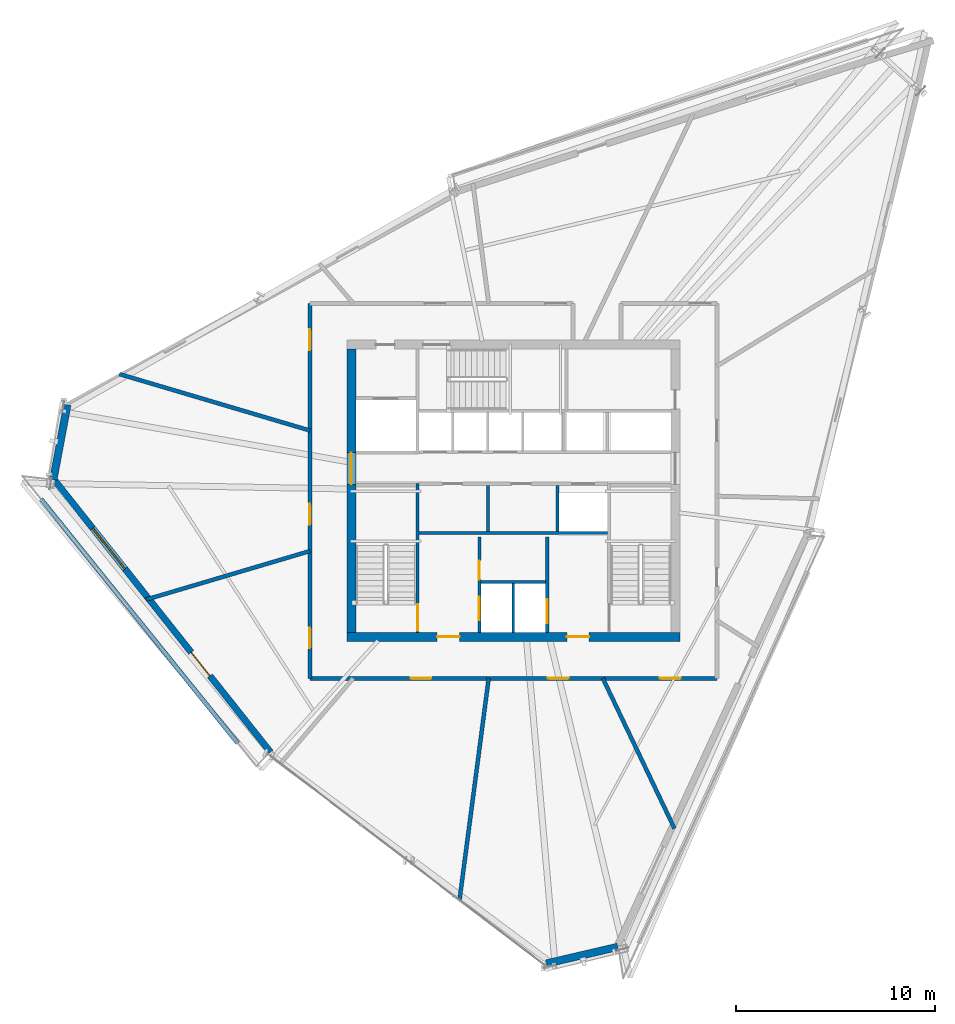
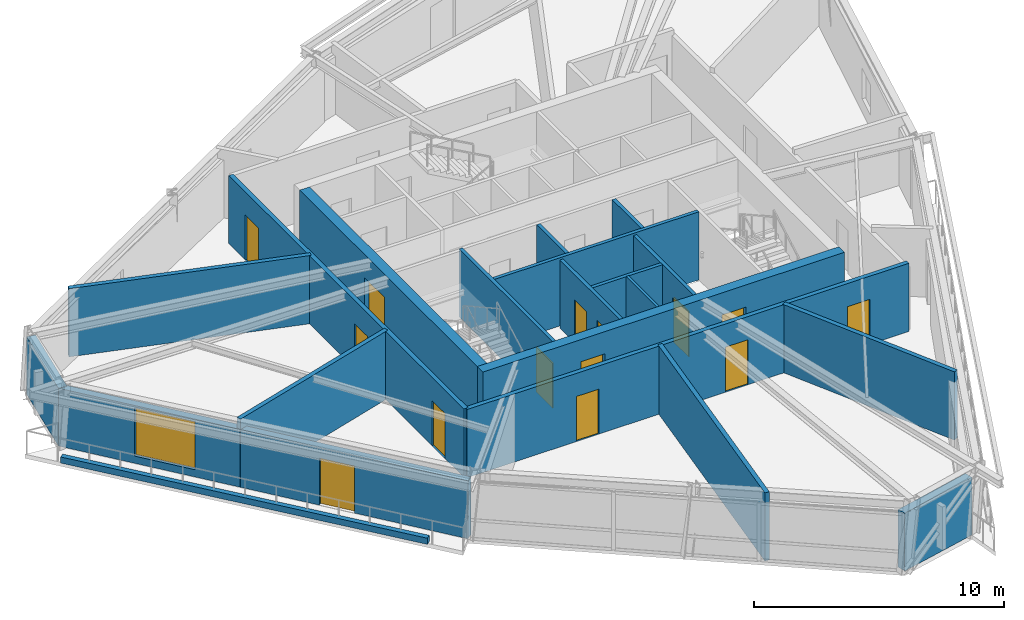
# One storey, part 8 of 13: 20 walls, 14 doors, 1 window, 15 openings.
"""IFC4 building model written with IfcOpenShell, lengths in metres."""

from ifc_helpers import new_model, si_unit, direction, frame, frame_2d, origin, place, context, subcontext, project, spatial, rectangle, extrude, source, transform, mapped, material, layer, layer_set, type_object, type_shapes, element, fill, save


model = new_model("IFC4")

# Units and contexts
model_context = context("Model", 3, precision=1e-05, world=origin(), true_north=direction((0.0, 1.0)))
body_context = subcontext(model_context, "Body", "Model", "MODEL_VIEW")
ifc_project = project(units=[si_unit("LENGTHUNIT", "METRE"), si_unit("AREAUNIT", "SQUARE_METRE"), si_unit("VOLUMEUNIT", "CUBIC_METRE"), si_unit("PLANEANGLEUNIT", "RADIAN"), si_unit("MASSUNIT", "GRAM", prefix="KILO")], contexts=[model_context])

# Site, building, storey
site_placement = place(None, origin())
site = spatial("IfcSite", under=ifc_project, at=site_placement, CompositionType="ELEMENT")
building_placement = place(site_placement, origin())
building = spatial("IfcBuilding", under=site, at=building_placement, Name="Olszyna Solenne Hotel", CompositionType="ELEMENT")
storey_placement = place(building_placement, frame((0.0, 0.0, 227.35009765625)))
storey = spatial("IfcBuildingStorey", under=building, at=storey_placement, Name="L60", CompositionType="ELEMENT", Elevation=227.35009765625)

# Wall, openings, doors
ifc_material_1 = material(Name="Concrete C50/60", Category="concrete")
ifc_layer_1 = layer(ifc_material_1, 0.449951171875, Name="Concrete C50/60")
ifc_layer_set_1 = layer_set([ifc_layer_1], Name="Concrete C50/60")
wall_type_1 = type_object("IfcWallType", Name="WL-CR450", PredefinedType="SHEAR", material=ifc_layer_set_1)
wall_1_placement = place(storey_placement, frame((46.35009765625, 19.27490234375, 0.0), z_axis=(0.0, 0.0, 1.0), x_axis=(-1.0, 0.0, 0.0)))
wall_1 = element("IfcWall", 1, at=wall_1_placement, inside=storey, type_object=wall_type_1, Name="Core shear wall WL-CR450 CRW-L60-S", PredefinedType="SHEAR", context=body_context, shape_type="SweptSolid", body=[
    extrude(rectangle(XDim=16.7001953125, YDim=0.449951171875, at=frame_2d((8.35009765625, 0.0))), origin(), (0.0, 0.0, 1.0), 3.329833984375),
])
opening_1_placement = place(wall_1_placement, frame((4.550048828125, 0.0, 0.0)))
opening_1 = element("IfcOpeningElement", 2, at=opening_1_placement, cuts=wall_1, Name="Opening FL-L60-1", PredefinedType="OPENING", context=body_context, shape_type="SweptSolid", body=[
    extrude(rectangle(XDim=1.1201171875, YDim=2.25, at=frame_2d((0.56005859375, 1.125))), frame((0.0, 0.23486328125, 0.0), z_axis=(0.0, -1.0, 0.0), x_axis=(1.0, 0.0, 0.0)), (0.0, 0.0, 1.0), 0.469970703125),
])
opening_2_placement = place(wall_1_placement, frame((11.050048828125, 0.0, 0.0)))
opening_2 = element("IfcOpeningElement", 3, at=opening_2_placement, cuts=wall_1, Name="Opening FL-L60-2", PredefinedType="OPENING", context=body_context, shape_type="SweptSolid", body=[
    extrude(rectangle(XDim=1.1201171875, YDim=2.25, at=frame_2d((0.56005859375, 1.125))), frame((0.0, 0.23486328125, 0.0), z_axis=(0.0, -1.0, 0.0), x_axis=(1.0, 0.0, 0.0)), (0.0, 0.0, 1.0), 0.469970703125),
])
ifc_material_2 = material(Name="Steel S355J2", Category="steel")
door_type_1 = type_object("IfcDoorType", Name="DR-FL1", OperationType="NOTDEFINED", PredefinedType="DOOR", material=ifc_material_2)
shared_shape_1 = source(origin(), body_context, "Body", "SweptSolid", [
    extrude(rectangle(XDim=1.1201171875, YDim=2.25, at=frame_2d((0.56005859375, 1.125))), frame((0.0, 0.02490234375, 0.0), z_axis=(0.0, -1.0, 0.0), x_axis=(1.0, 0.0, 0.0)), (0.0, 0.0, 1.0), 0.050048828125),
])
type_shapes(door_type_1, [shared_shape_1])
door_1_placement = place(opening_1_placement, origin())
door_1 = element("IfcDoor", 4, at=door_1_placement, inside=storey, type_object=door_type_1, Name="Firefighting lift lobby smoke door FL-L60-1", OperationType="SINGLE_SWING_LEFT", OverallHeight=2.25, OverallWidth=1.1201171875, PredefinedType="DOOR", context=body_context, shape_type="MappedRepresentation", body=[
    mapped(shared_shape_1, transform((0.0, 0.0, 0.0), x_axis=(1.0, 0.0, 0.0), y_axis=(0.0, 1.0, 0.0), z_axis=(0.0, 0.0, 1.0), scale=1.0)),
])
fill(opening_1, door_1)
door_2_placement = place(opening_2_placement, origin())
door_2 = element("IfcDoor", 5, at=door_2_placement, inside=storey, type_object=door_type_1, Name="Firefighting lift lobby smoke door FL-L60-2", OperationType="SINGLE_SWING_RIGHT", OverallHeight=2.25, OverallWidth=1.1201171875, PredefinedType="DOOR", context=body_context, shape_type="MappedRepresentation", body=[
    mapped(shared_shape_1, transform((0.0, 0.0, 0.0), x_axis=(1.0, 0.0, 0.0), y_axis=(0.0, 1.0, 0.0), z_axis=(0.0, 0.0, 1.0), scale=1.0)),
])
fill(opening_2, door_2)

# Wall, opening, door
wall_2_placement = place(storey_placement, frame((29.875, 19.5, 0.0), z_axis=(0.0, 0.0, 1.0), x_axis=(0.0, 1.0, 0.0)))
wall_2 = element("IfcWall", 6, at=wall_2_placement, inside=storey, type_object=wall_type_1, Name="Core shear wall WL-CR450 CRW-L60-W", PredefinedType="SHEAR", context=body_context, shape_type="SweptSolid", body=[
    extrude(rectangle(XDim=14.199951171875, YDim=0.449951171875, at=frame_2d((7.10009765625, 0.0))), origin(), (0.0, 0.0, 1.0), 3.329833984375),
])
opening_3_placement = place(wall_2_placement, frame((7.419921875, 0.0, 0.0)))
opening_3 = element("IfcOpeningElement", 7, at=opening_3_placement, cuts=wall_2, Name="Opening LHD-L60-W", PredefinedType="OPENING", context=body_context, shape_type="SweptSolid", body=[
    extrude(rectangle(XDim=1.60009765625, YDim=2.199951171875, at=frame_2d((0.800048828125, 1.10009765625))), frame((0.0, 0.23486328125, 0.0), z_axis=(0.0, -1.0, 0.0), x_axis=(1.0, 0.0, 0.0)), (0.0, 0.0, 1.0), 0.469970703125),
])
ifc_material_3 = material(Name="Timber hardwood", Category="wood")
door_type_2 = type_object("IfcDoorType", Name="DR-CR1", OperationType="DOUBLE_DOOR_SINGLE_SWING", PredefinedType="DOOR", material=ifc_material_3)
shared_shape_2 = source(origin(), body_context, "Body", "SweptSolid", [
    extrude(rectangle(XDim=1.60009765625, YDim=2.199951171875, at=frame_2d((0.800048828125, 1.10009765625))), frame((0.0, 0.02490234375, 0.0), z_axis=(0.0, -1.0, 0.0), x_axis=(1.0, 0.0, 0.0)), (0.0, 0.0, 1.0), 0.050048828125),
])
type_shapes(door_type_2, [shared_shape_2])
door_3_placement = place(opening_3_placement, origin())
door_3 = element("IfcDoor", 8, at=door_3_placement, inside=storey, type_object=door_type_2, Name="Passenger lift lobby West fire door LHD-L60-W", OperationType="DOUBLE_DOOR_SINGLE_SWING", OverallHeight=2.199951171875, OverallWidth=1.60009765625, PredefinedType="DOOR", context=body_context, shape_type="MappedRepresentation", body=[
    mapped(shared_shape_2, transform((0.0, 0.0, 0.0), x_axis=(1.0, 0.0, 0.0), y_axis=(0.0, 1.0, 0.0), z_axis=(0.0, 0.0, 1.0), scale=1.0)),
])
fill(opening_3, door_3)

# Wall, openings, door, window
ifc_material_4 = material(Name="Precast concrete C45/55", Category="concrete")
ifc_layer_2 = layer(ifc_material_4, 0.320068359375, Name="Precast concrete C45/55")
ifc_layer_set_2 = layer_set([ifc_layer_2], Name="Precast concrete C45/55")
wall_type_2 = type_object("IfcWallType", Name="WL-EX320", PredefinedType="SOLIDWALL", material=ifc_layer_set_2)
wall_3_placement = place(storey_placement, frame((25.82177734375, 13.49658203125, 0.0), z_axis=(0.0, 0.0, 1.0), x_axis=(-0.621793124768, 0.783181530675, 0.0)))
wall_3 = element("IfcWall", 9, at=wall_3_placement, inside=storey, type_object=wall_type_2, Name="Exterior terracotta-precast frame wall WL-EX320 EW-L60-04", PredefinedType="SOLIDWALL", context=body_context, shape_type="SweptSolid", body=[
    extrude(rectangle(XDim=17.611572265625, YDim=0.320068359375, at=frame_2d((8.8056640625, 0.0))), origin(), (0.0, 0.0, 1.0), 2.822021484375),
])
opening_4_placement = place(wall_3_placement, frame((4.885986328125, 0.0, 0.0)))
opening_4 = element("IfcOpeningElement", 10, at=opening_4_placement, cuts=wall_3, Name="Opening LDG-L60-2", PredefinedType="OPENING", context=body_context, shape_type="SweptSolid", body=[
    extrude(rectangle(XDim=1.5, YDim=2.300048828125, at=frame_2d((0.75, 1.14990234375))), frame((0.0, 0.169921875, 0.0), z_axis=(0.0, -1.0, 0.0), x_axis=(1.0, 0.0, 0.0)), (0.0, 0.0, 1.0), 0.340087890625),
])
opening_5_placement = place(wall_3_placement, frame((11.73291015625, 0.0, 0.35205078125)))
opening_5 = element("IfcOpeningElement", 11, at=opening_5_placement, cuts=wall_3, Name="Opening WN-L60-389", PredefinedType="OPENING", context=body_context, shape_type="SweptSolid", body=[
    extrude(rectangle(XDim=2.60009765625, YDim=2.35009765625, at=frame_2d((1.300048828125, 1.175048828125))), frame((0.0, 0.169921875, 0.0), z_axis=(0.0, -1.0, 0.0), x_axis=(1.0, 0.0, 0.0)), (0.0, 0.0, 1.0), 0.340087890625),
])
ifc_material_5 = material(Name="Anodised bronze aluminium", Category="aluminium")
door_type_3 = type_object("IfcDoorType", Name="DR-LG2", OperationType="DOUBLE_DOOR_SINGLE_SWING", PredefinedType="DOOR", material=ifc_material_5)
shared_shape_3 = source(origin(), body_context, "Body", "SweptSolid", [
    extrude(rectangle(XDim=1.5, YDim=2.300048828125, at=frame_2d((0.75, 1.14990234375))), frame((0.0, 0.02490234375, 0.0), z_axis=(0.0, -1.0, 0.0), x_axis=(1.0, 0.0, 0.0)), (0.0, 0.0, 1.0), 0.050048828125),
])
type_shapes(door_type_3, [shared_shape_3])
door_4_placement = place(opening_4_placement, origin())
door_4 = element("IfcDoor", 12, at=door_4_placement, inside=storey, type_object=door_type_3, Name="Exterior loggia balcony door DR-LG2 LDG-L60-2", OperationType="DOUBLE_DOOR_SINGLE_SWING", OverallHeight=2.300048828125, OverallWidth=1.5, PredefinedType="DOOR", context=body_context, shape_type="MappedRepresentation", body=[
    mapped(shared_shape_3, transform((0.0, 0.0, 0.0), x_axis=(1.0, 0.0, 0.0), y_axis=(0.0, 1.0, 0.0), z_axis=(0.0, 0.0, 1.0), scale=1.0)),
])
fill(opening_4, door_4)
ifc_material_6 = material(Name="Low-E triple glazing", Category="glass")
window_type = type_object("IfcWindowType", Name="WN-ST1", PartitioningType="SINGLE_PANEL", PredefinedType="WINDOW", material=ifc_material_6)
shared_shape_4 = source(origin(), body_context, "Body", "SweptSolid", [
    extrude(rectangle(XDim=2.60009765625, YDim=2.35009765625, at=frame_2d((1.300048828125, 1.175048828125))), frame((0.0, 0.030029296875, 0.0), z_axis=(0.0, -1.0, 0.0), x_axis=(1.0, 0.0, 0.0)), (0.0, 0.0, 1.0), 0.06005859375),
])
type_shapes(window_type, [shared_shape_4])
window_placement = place(opening_5_placement, origin())
window = element("IfcWindow", 13, at=window_placement, inside=storey, type_object=window_type, Name="Loggia room window WN-ST1 WN-L60-389", OverallHeight=2.35009765625, OverallWidth=2.60009765625, PartitioningType="SINGLE_PANEL", PredefinedType="WINDOW", context=body_context, shape_type="MappedRepresentation", body=[
    mapped(shared_shape_4, transform((0.0, 0.0, 0.0), x_axis=(1.0, 0.0, 0.0), y_axis=(0.0, 1.0, 0.0), z_axis=(0.0, 0.0, 1.0), scale=1.0)),
])
fill(opening_5, window)

# Walls
ifc_material_7 = material(Name="Terracotta cladding on precast concrete C45/55", Category="masonry")
ifc_layer_3 = layer(ifc_material_7, 0.3798828125, Name="Terracotta cladding on precast concrete C45/55")
ifc_layer_set_3 = layer_set([ifc_layer_3], Name="Terracotta cladding on precast concrete C45/55")
wall_type_3 = type_object("IfcWallType", Name="WL-EX380", PredefinedType="SOLIDWALL", material=ifc_layer_set_3)
wall_4_placement = place(storey_placement, frame((43.236328125, 3.732421875, 0.0), z_axis=(0.0, 0.0, 1.0), x_axis=(-0.973962023235, -0.22671122005, 0.0)))
element("IfcWall", 14, at=wall_4_placement, inside=storey, type_object=wall_type_3, Name="Exterior terracotta-precast frame wall WL-EX380 EW-L60-02", PredefinedType="SOLIDWALL", context=body_context, shape_type="SweptSolid", body=[
    extrude(rectangle(XDim=3.677490234375, YDim=0.3798828125, at=frame_2d((1.8388671875, 0.0))), origin(), (0.0, 0.0, 1.0), 2.822021484375),
])
wall_5_placement = place(storey_placement, frame((14.9326171875, 27.155029296875, 0.0), z_axis=(0.0, 0.0, 1.0), x_axis=(0.183852218536, 0.98295389604, 0.0)))
element("IfcWall", 15, at=wall_5_placement, inside=storey, type_object=wall_type_3, Name="Exterior terracotta-precast frame wall WL-EX380 EW-L60-05", PredefinedType="SOLIDWALL", context=body_context, shape_type="SweptSolid", body=[
    extrude(rectangle(XDim=3.81787109375, YDim=0.3798828125, at=frame_2d((1.908935546875, 0.0))), origin(), (0.0, 0.0, 1.0), 2.822021484375),
])
ifc_layer_4 = layer(ifc_material_4, 0.219970703125, Name="Precast concrete C45/55")
ifc_layer_set_4 = layer_set([ifc_layer_4], Name="Precast concrete C45/55")
wall_type_4 = type_object("IfcWallType", Name="WL-PR220", PredefinedType="PARAPET", material=ifc_layer_set_4)
wall_6_placement = place(storey_placement, frame((14.3154296875, 26.183349609375, 0.0), z_axis=(0.0, 0.0, 1.0), x_axis=(0.627542704466, -0.778582143432, 0.0)))
element("IfcWall", 16, at=wall_6_placement, inside=storey, type_object=wall_type_4, Name="Loggia balcony precast kerb PR-L60-LG2", PredefinedType="PARAPET", context=body_context, shape_type="SweptSolid", body=[
    extrude(rectangle(XDim=15.72265625, YDim=0.219970703125, at=frame_2d((7.861328125, 0.0))), origin(), (0.0, 0.0, 1.0), 0.2998046875),
])
ifc_material_8 = material(Name="Acoustic gypsum partition", Category="gypsum")
ifc_layer_5 = layer(ifc_material_8, 0.125, Name="Acoustic gypsum partition")
ifc_layer_set_5 = layer_set([ifc_layer_5], Name="Acoustic gypsum partition")
wall_type_5 = type_object("IfcWallType", Name="WL-PT125", PredefinedType="PARTITIONING", material=ifc_layer_set_5)
wall_7_placement = place(storey_placement, frame((38.0, 19.5, 0.0), z_axis=(0.0, 0.0, 1.0), x_axis=(0.0, 1.0, 0.0)))
element("IfcWall", 17, at=wall_7_placement, inside=storey, type_object=wall_type_5, Name="Core shaft compartment wall CW-L60-FFM", PredefinedType="PARTITIONING", context=body_context, shape_type="SweptSolid", body=[
    extrude(rectangle(XDim=2.4599609375, YDim=0.125, at=frame_2d((1.22998046875, 0.0))), origin(), (0.0, 0.0, 1.0), 3.329833984375),
])

# Wall, opening, door
ifc_layer_6 = layer(ifc_material_8, 0.159912109375, Name="Acoustic gypsum partition")
ifc_layer_set_6 = layer_set([ifc_layer_6], Name="Acoustic gypsum partition")
wall_type_6 = type_object("IfcWallType", Name="WL-PT160", PredefinedType="PARTITIONING", material=ifc_layer_set_6)
wall_8_placement = place(storey_placement, frame((33.199951171875, 19.5, 0.0), z_axis=(0.0, 0.0, 1.0), x_axis=(0.0, 1.0, 0.0)))
wall_8 = element("IfcWall", 18, at=wall_8_placement, inside=storey, type_object=wall_type_6, Name="Core shaft compartment wall CW-L60-ST1E", PredefinedType="PARTITIONING", context=body_context, shape_type="SweptSolid", body=[
    extrude(rectangle(XDim=7.4599609375, YDim=0.159912109375, at=frame_2d((3.72998046875, 0.0))), origin(), (0.0, 0.0, 1.0), 3.329833984375),
])
opening_6_placement = place(wall_8_placement, frame((0.080078125, 0.0, 0.0)))
opening_6 = element("IfcOpeningElement", 19, at=opening_6_placement, cuts=wall_8, Name="Opening STD-L60-01", PredefinedType="OPENING", context=body_context, shape_type="SweptSolid", body=[
    extrude(rectangle(XDim=1.320068359375, YDim=2.199951171875, at=frame_2d((0.66015625, 1.10009765625))), frame((0.0, 0.08984375, 0.0), z_axis=(0.0, -1.0, 0.0), x_axis=(1.0, 0.0, 0.0)), (0.0, 0.0, 1.0), 0.179931640625),
])
door_type_4 = type_object("IfcDoorType", Name="DR-ST1", OperationType="NOTDEFINED", PredefinedType="DOOR", material=ifc_material_2)
shared_shape_5 = source(origin(), body_context, "Body", "SweptSolid", [
    extrude(rectangle(XDim=1.320068359375, YDim=2.199951171875, at=frame_2d((0.66015625, 1.10009765625))), frame((0.0, 0.02490234375, 0.0), z_axis=(0.0, -1.0, 0.0), x_axis=(1.0, 0.0, 0.0)), (0.0, 0.0, 1.0), 0.050048828125),
])
type_shapes(door_type_4, [shared_shape_5])
door_5_placement = place(opening_6_placement, origin())
door_5 = element("IfcDoor", 20, at=door_5_placement, inside=storey, type_object=door_type_4, Name="Pressurised exit stair ST1 fire door STD-L60-01", OperationType="SINGLE_SWING_LEFT", OverallHeight=2.199951171875, OverallWidth=1.320068359375, PredefinedType="DOOR", context=body_context, shape_type="MappedRepresentation", body=[
    mapped(shared_shape_5, transform((0.0, 0.0, 0.0), x_axis=(1.0, 0.0, 0.0), y_axis=(0.0, 1.0, 0.0), z_axis=(0.0, 0.0, 1.0), scale=1.0)),
])
fill(opening_6, door_5)

# Wall, openings, doors
wall_9_placement = place(storey_placement, frame((36.300048828125, 19.5, 0.0), z_axis=(0.0, 0.0, 1.0), x_axis=(0.0, 1.0, 0.0)))
wall_9 = element("IfcWall", 21, at=wall_9_placement, inside=storey, type_object=wall_type_6, Name="Core shaft compartment wall CW-L60-FF1W", PredefinedType="PARTITIONING", context=body_context, shape_type="SweptSolid", body=[
    extrude(rectangle(XDim=4.780029296875, YDim=0.159912109375, at=frame_2d((2.39013671875, 0.0))), origin(), (0.0, 0.0, 1.0), 3.329833984375),
])
opening_7_placement = place(wall_9_placement, frame((0.60009765625, 0.0, 0.0)))
opening_7 = element("IfcOpeningElement", 22, at=opening_7_placement, cuts=wall_9, Name="Opening LD-L60-FF1", PredefinedType="OPENING", context=body_context, shape_type="SweptSolid", body=[
    extrude(rectangle(XDim=1.199951171875, YDim=2.199951171875, at=frame_2d((0.60009765625, 1.10009765625))), frame((0.0, 0.08984375, 0.0), z_axis=(0.0, -1.0, 0.0), x_axis=(1.0, 0.0, 0.0)), (0.0, 0.0, 1.0), 0.179931640625),
])
opening_8_placement = place(wall_9_placement, frame((2.64990234375, 0.0, 0.0)))
opening_8 = element("IfcOpeningElement", 23, at=opening_8_placement, cuts=wall_9, Name="Opening SVD-L60-SMK", PredefinedType="OPENING", context=body_context, shape_type="SweptSolid", body=[
    extrude(rectangle(XDim=0.949951171875, YDim=2.10009765625, at=frame_2d((0.47509765625, 1.050048828125))), frame((0.0, 0.08984375, 0.0), z_axis=(0.0, -1.0, 0.0), x_axis=(1.0, 0.0, 0.0)), (0.0, 0.0, 1.0), 0.179931640625),
])
door_type_5 = type_object("IfcDoorType", Name="DR-SV1", OperationType="NOTDEFINED", PredefinedType="DOOR", material=ifc_material_2)
shared_shape_6 = source(origin(), body_context, "Body", "SweptSolid", [
    extrude(rectangle(XDim=0.949951171875, YDim=2.10009765625, at=frame_2d((0.47509765625, 1.050048828125))), frame((0.0, 0.02490234375, 0.0), z_axis=(0.0, -1.0, 0.0), x_axis=(1.0, 0.0, 0.0)), (0.0, 0.0, 1.0), 0.050048828125),
])
type_shapes(door_type_5, [shared_shape_6])
door_6_placement = place(opening_8_placement, origin())
door_6 = element("IfcDoor", 24, at=door_6_placement, inside=storey, type_object=door_type_5, Name="Valet and core service room door SVD-L60-SMK", OperationType="SINGLE_SWING_LEFT", OverallHeight=2.10009765625, OverallWidth=0.949951171875, PredefinedType="DOOR", context=body_context, shape_type="MappedRepresentation", body=[
    mapped(shared_shape_6, transform((0.0, 0.0, 0.0), x_axis=(1.0, 0.0, 0.0), y_axis=(0.0, 1.0, 0.0), z_axis=(0.0, 0.0, 1.0), scale=1.0)),
])
fill(opening_8, door_6)
door_type_6 = type_object("IfcDoorType", Name="LD-FF1", OperationType="DOUBLE_DOOR_SLIDING", PredefinedType="DOOR", material=ifc_material_2)
shared_shape_7 = source(origin(), body_context, "Body", "SweptSolid", [
    extrude(rectangle(XDim=1.199951171875, YDim=2.199951171875, at=frame_2d((0.60009765625, 1.10009765625))), frame((0.0, 0.02490234375, 0.0), z_axis=(0.0, -1.0, 0.0), x_axis=(1.0, 0.0, 0.0)), (0.0, 0.0, 1.0), 0.050048828125),
])
type_shapes(door_type_6, [shared_shape_7])
door_7_placement = place(opening_7_placement, origin())
door_7 = element("IfcDoor", 25, at=door_7_placement, inside=storey, type_object=door_type_6, Name="Firefighters lift FF1 sliding landing door LD-L60-FF1", OperationType="DOUBLE_DOOR_SLIDING", OverallHeight=2.199951171875, OverallWidth=1.199951171875, PredefinedType="DOOR", context=body_context, shape_type="MappedRepresentation", body=[
    mapped(shared_shape_7, transform((0.0, 0.0, 0.0), x_axis=(1.0, 0.0, 0.0), y_axis=(0.0, 1.0, 0.0), z_axis=(0.0, 0.0, 1.0), scale=1.0)),
])
fill(opening_7, door_7)

# Wall, opening, door
wall_10_placement = place(storey_placement, frame((39.699951171875, 24.280029296875, 0.0), z_axis=(0.0, 0.0, 1.0), x_axis=(0.0, -1.0, 0.0)))
wall_10 = element("IfcWall", 26, at=wall_10_placement, inside=storey, type_object=wall_type_6, Name="Core shaft compartment wall CW-L60-FF2E", PredefinedType="PARTITIONING", context=body_context, shape_type="SweptSolid", body=[
    extrude(rectangle(XDim=4.780029296875, YDim=0.159912109375, at=frame_2d((2.39013671875, 0.0))), origin(), (0.0, 0.0, 1.0), 3.329833984375),
])
opening_9_placement = place(wall_10_placement, frame((3.1201171875, 0.0, 0.0)))
opening_9 = element("IfcOpeningElement", 27, at=opening_9_placement, cuts=wall_10, Name="Opening LD-L60-FF2", PredefinedType="OPENING", context=body_context, shape_type="SweptSolid", body=[
    extrude(rectangle(XDim=1.199951171875, YDim=2.199951171875, at=frame_2d((0.60009765625, 1.10009765625))), frame((0.0, 0.08984375, 0.0), z_axis=(0.0, -1.0, 0.0), x_axis=(1.0, 0.0, 0.0)), (0.0, 0.0, 1.0), 0.179931640625),
])
door_8_placement = place(opening_9_placement, origin())
door_8 = element("IfcDoor", 28, at=door_8_placement, inside=storey, type_object=door_type_6, Name="Firefighters lift FF2 sliding landing door LD-L60-FF2", OperationType="DOUBLE_DOOR_SLIDING", OverallHeight=2.199951171875, OverallWidth=1.199951171875, PredefinedType="DOOR", context=body_context, shape_type="MappedRepresentation", body=[
    mapped(shared_shape_7, transform((0.0, 0.0, 0.0), x_axis=(1.0, 0.0, 0.0), y_axis=(0.0, 1.0, 0.0), z_axis=(0.0, 0.0, 1.0), scale=1.0)),
])
fill(opening_9, door_8)

# Walls
wall_11_placement = place(storey_placement, frame((36.3798828125, 22.02001953125, 0.0), z_axis=(0.0, 0.0, 1.0), x_axis=(1.0, 0.0, 0.0)))
element("IfcWall", 29, at=wall_11_placement, inside=storey, type_object=wall_type_6, Name="Core shaft compartment wall CW-L60-FFN", PredefinedType="PARTITIONING", context=body_context, shape_type="SweptSolid", body=[
    extrude(rectangle(XDim=3.240234375, YDim=0.159912109375, at=frame_2d((1.6201171875, 0.0))), origin(), (0.0, 0.0, 1.0), 3.329833984375),
])
wall_12_placement = place(storey_placement, frame((33.280029296875, 24.489990234375, 0.0), z_axis=(0.0, 0.0, 1.0), x_axis=(1.0, 0.0, 0.0)))
element("IfcWall", 30, at=wall_12_placement, inside=storey, type_object=wall_type_6, Name="Core shaft compartment wall CW-L60-FFBN", PredefinedType="PARTITIONING", context=body_context, shape_type="SweptSolid", body=[
    extrude(rectangle(XDim=9.43994140625, YDim=0.159912109375, at=frame_2d((4.719970703125, 0.0))), origin(), (0.0, 0.0, 1.0), 3.329833984375),
])
for number, where, z_axis, x_axis, name in (
    (31, (36.72998046875, 24.56005859375, 0.0), (0.0, 0.0, 1.0), (0.0, 1.0, 0.0), "Core shaft compartment wall CW-L60-LV7DIV1"),
    (32, (40.215087890625, 24.56005859375, 0.0), (0.0, 0.0, 1.0), (0.0, 1.0, 0.0), "Core shaft compartment wall CW-L60-LV7DIV2"),
):
    element("IfcWall", number, at=place(storey_placement, frame(where, z_axis=z_axis, x_axis=x_axis)), inside=storey, type_object=wall_type_6, Name=name, PredefinedType="PARTITIONING", context=body_context, shape_type="SweptSolid", body=[
        extrude(rectangle(XDim=2.31005859375, YDim=0.159912109375, at=frame_2d((1.155029296875, 0.0))), origin(), (0.0, 0.0, 1.0), 3.329833984375),
    ])
ifc_layer_7 = layer(ifc_material_8, 0.199951171875, Name="Acoustic gypsum partition")
ifc_layer_set_7 = layer_set([ifc_layer_7], Name="Acoustic gypsum partition")
wall_type_7 = type_object("IfcWallType", Name="WL-PT200", PredefinedType="PARTITIONING", material=ifc_layer_set_7)
wall_13_placement = place(storey_placement, frame((27.800048828125, 29.621337890625, 0.0), z_axis=(0.0, 0.0, 1.0), x_axis=(-0.958820857055, 0.284011556237, 0.0)))
element("IfcWall", 33, at=wall_13_placement, inside=storey, type_object=wall_type_7, Name="Interior acoustic partition WL-PT200 PW-L60-3326", PredefinedType="PARTITIONING", context=body_context, shape_type="SweptSolid", body=[
    extrude(rectangle(XDim=9.961181640625, YDim=0.199951171875, at=frame_2d((4.98046875, 0.0))), origin(), (0.0, 0.0, 1.0), 3.329833984375),
])
wall_14_placement = place(storey_placement, frame((27.800048828125, 23.57861328125, 0.0), z_axis=(0.0, 0.0, 1.0), x_axis=(-0.958820240498, -0.284013637722, 0.0)))
element("IfcWall", 34, at=wall_14_placement, inside=storey, type_object=wall_type_7, Name="Interior acoustic partition WL-PT200 PW-L60-3327", PredefinedType="PARTITIONING", context=body_context, shape_type="SweptSolid", body=[
    extrude(rectangle(XDim=8.5693359375, YDim=0.199951171875, at=frame_2d((4.28466796875, 0.0))), origin(), (0.0, 0.0, 1.0), 3.329833984375),
])
wall_15_placement = place(storey_placement, frame((36.762451171875, 17.199951171875, 0.0), z_axis=(0.0, 0.0, 1.0), x_axis=(-0.130511513765, -0.991446793719, 0.0)))
element("IfcWall", 35, at=wall_15_placement, inside=storey, type_object=wall_type_7, Name="Interior acoustic partition WL-PT200 PW-L60-3329", PredefinedType="PARTITIONING", context=body_context, shape_type="SweptSolid", body=[
    extrude(rectangle(XDim=11.190185546875, YDim=0.199951171875, at=frame_2d((5.59521484375, 0.0))), origin(), (0.0, 0.0, 1.0), 3.329833984375),
])
wall_16_placement = place(storey_placement, frame((42.483642578125, 17.199951171875, 0.0), z_axis=(0.0, 0.0, 1.0), x_axis=(0.430513972501, -0.902583912709, 0.0)))
element("IfcWall", 36, at=wall_16_placement, inside=storey, type_object=wall_type_7, Name="Interior acoustic partition WL-PT200 PW-L60-3330", PredefinedType="PARTITIONING", context=body_context, shape_type="SweptSolid", body=[
    extrude(rectangle(XDim=8.342529296875, YDim=0.199951171875, at=frame_2d((4.17138671875, 0.0))), origin(), (0.0, 0.0, 1.0), 3.329833984375),
])

# Wall, openings, doors
wall_17_placement = place(storey_placement, frame((27.800048828125, 17.199951171875, 0.0), z_axis=(0.0, 0.0, 1.0), x_axis=(1.0, 0.0, 0.0)))
wall_17 = element("IfcWall", 37, at=wall_17_placement, inside=storey, type_object=wall_type_7, Name="Interior acoustic partition WL-PT200 PW-L60-3332", PredefinedType="PARTITIONING", context=body_context, shape_type="SweptSolid", body=[
    extrude(rectangle(XDim=20.39990234375, YDim=0.199951171875, at=frame_2d((10.199951171875, 0.0))), origin(), (0.0, 0.0, 1.0), 3.329833984375),
])
opening_10_placement = place(wall_17_placement, frame((5.0419921875, 0.0, 0.0)))
opening_10 = element("IfcOpeningElement", 38, at=opening_10_placement, cuts=wall_17, Name="Opening DR-L60-0808", PredefinedType="OPENING", context=body_context, shape_type="SweptSolid", body=[
    extrude(rectangle(XDim=1.050048828125, YDim=2.199951171875, at=frame_2d((0.52490234375, 1.10009765625))), frame((0.0, 0.10986328125, 0.0), z_axis=(0.0, -1.0, 0.0), x_axis=(1.0, 0.0, 0.0)), (0.0, 0.0, 1.0), 0.219970703125),
])
opening_11_placement = place(wall_17_placement, frame((11.925048828125, 0.0, 0.0)))
opening_11 = element("IfcOpeningElement", 39, at=opening_11_placement, cuts=wall_17, Name="Opening DR-L60-0809", PredefinedType="OPENING", context=body_context, shape_type="SweptSolid", body=[
    extrude(rectangle(XDim=1.050048828125, YDim=2.199951171875, at=frame_2d((0.52490234375, 1.10009765625))), frame((0.0, 0.10986328125, 0.0), z_axis=(0.0, -1.0, 0.0), x_axis=(1.0, 0.0, 0.0)), (0.0, 0.0, 1.0), 0.219970703125),
])
opening_12_placement = place(wall_17_placement, frame((17.550048828125, 0.0, 0.0)))
opening_12 = element("IfcOpeningElement", 40, at=opening_12_placement, cuts=wall_17, Name="Opening DR-L60-0810", PredefinedType="OPENING", context=body_context, shape_type="SweptSolid", body=[
    extrude(rectangle(XDim=1.050048828125, YDim=2.199951171875, at=frame_2d((0.52490234375, 1.10009765625))), frame((0.0, 0.10986328125, 0.0), z_axis=(0.0, -1.0, 0.0), x_axis=(1.0, 0.0, 0.0)), (0.0, 0.0, 1.0), 0.219970703125),
])
door_type_7 = type_object("IfcDoorType", Name="DR-RM2", OperationType="NOTDEFINED", PredefinedType="DOOR", material=ifc_material_3)
shared_shape_8 = source(origin(), body_context, "Body", "SweptSolid", [
    extrude(rectangle(XDim=1.050048828125, YDim=2.199951171875, at=frame_2d((0.52490234375, 1.10009765625))), frame((0.0, 0.02490234375, 0.0), z_axis=(0.0, -1.0, 0.0), x_axis=(1.0, 0.0, 0.0)), (0.0, 0.0, 1.0), 0.050048828125),
])
type_shapes(door_type_7, [shared_shape_8])
door_9_placement = place(opening_10_placement, origin())
door_9 = element("IfcDoor", 41, at=door_9_placement, inside=storey, type_object=door_type_7, Name="Private Business Office Entrance Door DR-L60-0808", OperationType="SINGLE_SWING_RIGHT", OverallHeight=2.199951171875, OverallWidth=1.050048828125, PredefinedType="DOOR", context=body_context, shape_type="MappedRepresentation", body=[
    mapped(shared_shape_8, transform((0.0, 0.0, 0.0), x_axis=(1.0, 0.0, 0.0), y_axis=(0.0, 1.0, 0.0), z_axis=(0.0, 0.0, 1.0), scale=1.0)),
])
fill(opening_10, door_9)
door_10_placement = place(opening_11_placement, origin())
door_10 = element("IfcDoor", 42, at=door_10_placement, inside=storey, type_object=door_type_7, Name="Private Business Office Entrance Door DR-L60-0809", OperationType="SINGLE_SWING_LEFT", OverallHeight=2.199951171875, OverallWidth=1.050048828125, PredefinedType="DOOR", context=body_context, shape_type="MappedRepresentation", body=[
    mapped(shared_shape_8, transform((0.0, 0.0, 0.0), x_axis=(1.0, 0.0, 0.0), y_axis=(0.0, 1.0, 0.0), z_axis=(0.0, 0.0, 1.0), scale=1.0)),
])
fill(opening_11, door_10)
door_11_placement = place(opening_12_placement, origin())
door_11 = element("IfcDoor", 43, at=door_11_placement, inside=storey, type_object=door_type_7, Name="Conference Boardroom Entrance Door DR-L60-0810", OperationType="SINGLE_SWING_RIGHT", OverallHeight=2.199951171875, OverallWidth=1.050048828125, PredefinedType="DOOR", context=body_context, shape_type="MappedRepresentation", body=[
    mapped(shared_shape_8, transform((0.0, 0.0, 0.0), x_axis=(1.0, 0.0, 0.0), y_axis=(0.0, 1.0, 0.0), z_axis=(0.0, 0.0, 1.0), scale=1.0)),
])
fill(opening_12, door_11)

wall_18_placement = place(storey_placement, frame((27.800048828125, 17.199951171875, 0.0), z_axis=(0.0, 0.0, 1.0), x_axis=(0.0, 1.0, 0.0)))
wall_18 = element("IfcWall", 44, at=wall_18_placement, inside=storey, type_object=wall_type_7, Name="Interior acoustic partition WL-PT200 PW-L60-3333", PredefinedType="PARTITIONING", context=body_context, shape_type="SweptSolid", body=[
    extrude(rectangle(XDim=18.800048828125, YDim=0.199951171875, at=frame_2d((9.39990234375, 0.0))), origin(), (0.0, 0.0, 1.0), 3.329833984375),
])
opening_13_placement = place(wall_18_placement, frame((16.43798828125, 0.0, 0.0)))
opening_13 = element("IfcOpeningElement", 45, at=opening_13_placement, cuts=wall_18, Name="Opening DR-L60-0811", PredefinedType="OPENING", context=body_context, shape_type="SweptSolid", body=[
    extrude(rectangle(XDim=1.050048828125, YDim=2.199951171875, at=frame_2d((0.52490234375, 1.10009765625))), frame((0.0, 0.10986328125, 0.0), z_axis=(0.0, -1.0, 0.0), x_axis=(1.0, 0.0, 0.0)), (0.0, 0.0, 1.0), 0.219970703125),
])
opening_14_placement = place(wall_18_placement, frame((7.68896484375, 0.0, 0.0)))
opening_14 = element("IfcOpeningElement", 46, at=opening_14_placement, cuts=wall_18, Name="Opening DR-L60-0812", PredefinedType="OPENING", context=body_context, shape_type="SweptSolid", body=[
    extrude(rectangle(XDim=1.050048828125, YDim=2.199951171875, at=frame_2d((0.52490234375, 1.10009765625))), frame((0.0, 0.10986328125, 0.0), z_axis=(0.0, -1.0, 0.0), x_axis=(1.0, 0.0, 0.0)), (0.0, 0.0, 1.0), 0.219970703125),
])
opening_15_placement = place(wall_18_placement, frame((1.4951171875, 0.0, 0.0)))
opening_15 = element("IfcOpeningElement", 47, at=opening_15_placement, cuts=wall_18, Name="Opening DR-L60-0813", PredefinedType="OPENING", context=body_context, shape_type="SweptSolid", body=[
    extrude(rectangle(XDim=1.050048828125, YDim=2.199951171875, at=frame_2d((0.52490234375, 1.10009765625))), frame((0.0, 0.10986328125, 0.0), z_axis=(0.0, -1.0, 0.0), x_axis=(1.0, 0.0, 0.0)), (0.0, 0.0, 1.0), 0.219970703125),
])
door_12_placement = place(opening_13_placement, origin())
door_12 = element("IfcDoor", 48, at=door_12_placement, inside=storey, type_object=door_type_7, Name="Private Business Office Entrance Door DR-L60-0811", OperationType="SINGLE_SWING_LEFT", OverallHeight=2.199951171875, OverallWidth=1.050048828125, PredefinedType="DOOR", context=body_context, shape_type="MappedRepresentation", body=[
    mapped(shared_shape_8, transform((0.0, 0.0, 0.0), x_axis=(1.0, 0.0, 0.0), y_axis=(0.0, 1.0, 0.0), z_axis=(0.0, 0.0, 1.0), scale=1.0)),
])
fill(opening_13, door_12)
door_13_placement = place(opening_14_placement, origin())
door_13 = element("IfcDoor", 49, at=door_13_placement, inside=storey, type_object=door_type_7, Name="Private Business Office Entrance Door DR-L60-0812", OperationType="SINGLE_SWING_RIGHT", OverallHeight=2.199951171875, OverallWidth=1.050048828125, PredefinedType="DOOR", context=body_context, shape_type="MappedRepresentation", body=[
    mapped(shared_shape_8, transform((0.0, 0.0, 0.0), x_axis=(1.0, 0.0, 0.0), y_axis=(0.0, 1.0, 0.0), z_axis=(0.0, 0.0, 1.0), scale=1.0)),
])
fill(opening_14, door_13)
door_14_placement = place(opening_15_placement, origin())
door_14 = element("IfcDoor", 50, at=door_14_placement, inside=storey, type_object=door_type_7, Name="Private Business Office Entrance Door DR-L60-0813", OperationType="SINGLE_SWING_LEFT", OverallHeight=2.199951171875, OverallWidth=1.050048828125, PredefinedType="DOOR", context=body_context, shape_type="MappedRepresentation", body=[
    mapped(shared_shape_8, transform((0.0, 0.0, 0.0), x_axis=(1.0, 0.0, 0.0), y_axis=(0.0, 1.0, 0.0), z_axis=(0.0, 0.0, 1.0), scale=1.0)),
])
fill(opening_15, door_14)

save(model, "model.ifc")
